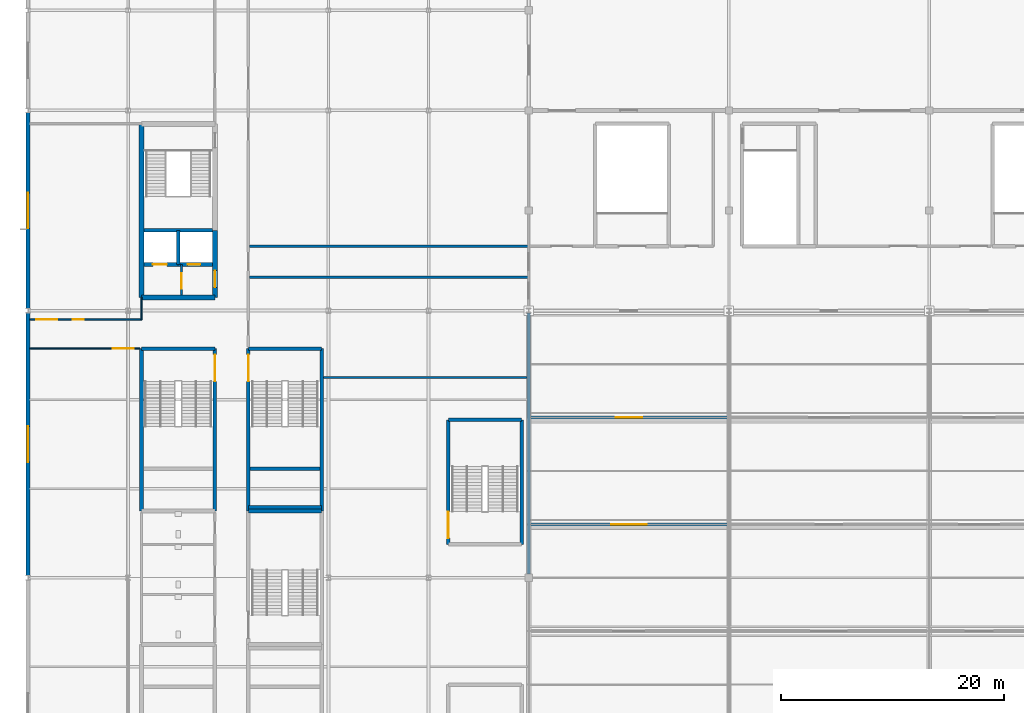
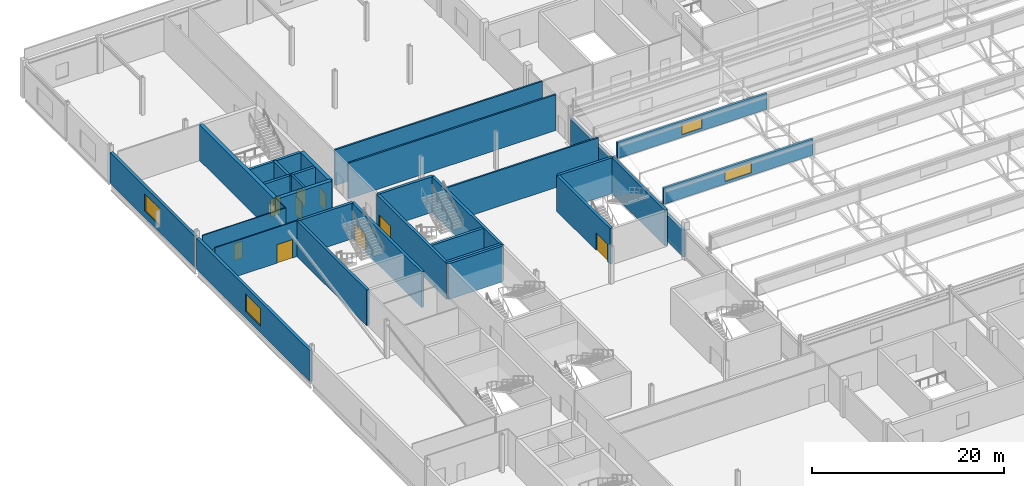
# One storey, part 99 of 136: 31 walls, 10 doors, 4 windows, 14 openings.
"""IFC4 building model written with IfcOpenShell, lengths in metres."""

import ifcopenshell
import ifcopenshell.guid

model = None  # the IFC model being written
_history = None  # IfcOwnerHistory: only IFC2X3 demands one
_inside = {}  # id of a spatial element -> (the spatial element, [elements in it])
_under = {}  # id of a project, library or spatial element -> (it, [spatial elements below it])
_declared = {}  # id of a project -> (the project, [libraries it declares])
_typed = {}  # id of a type object -> (the type object, [elements of that type])
_made_of = {}  # id of a material, layer set ... -> (it, [elements and type objects made of it])


def new_model(schema):
    """Start an empty IFC model of exactly this schema.

    Asked for "IFC4X3", IfcOpenShell would pick the latest addendum, in which some entities
    have other attributes; the version numbers below select the first issue.
    IFC2X3 requires an IfcOwnerHistory on every rooted entity: one is made here for all.
    """
    global model, _history
    if schema == "IFC4X3":
        model = ifcopenshell.file(schema_version=(4, 3, 0, 0))
    else:
        model = ifcopenshell.file(schema=schema)
    _inside.clear()
    _under.clear()
    _declared.clear()
    _typed.clear()
    _made_of.clear()
    _history = None
    if model.schema == "IFC2X3":
        org = make("IfcOrganization", Name="unknown")
        user = make(
            "IfcPersonAndOrganization",
            ThePerson=make("IfcPerson", FamilyName="unknown"),
            TheOrganization=org,
        )
        app = make(
            "IfcApplication",
            ApplicationDeveloper=org,
            Version="unknown",
            ApplicationFullName="unknown",
            ApplicationIdentifier="unknown",
        )
        _history = make(
            "IfcOwnerHistory",
            OwningUser=user,
            OwningApplication=app,
            ChangeAction="ADDED",
            CreationDate=0,
        )
    return model


def make(cls, **values):
    """One entity of the class cls with the attributes given. An attribute that is None is left unset."""
    return model.create_entity(
        cls, **{name: value for name, value in values.items() if value is not None}
    )


def rooted(cls, **values):
    """An entity with a GlobalId (a new one), such as an element, a storey or a relation."""
    return make(cls, GlobalId=ifcopenshell.guid.new(), OwnerHistory=_history, **values)


def si_unit(unit_type, name, prefix=None):
    """IfcSIUnit, for example si_unit("LENGTHUNIT", "METRE", prefix="MILLI")."""
    return make("IfcSIUnit", UnitType=unit_type, Prefix=prefix, Name=name)


def assignment(units):
    """IfcUnitAssignment: the units of a project."""
    return None if units is None else make("IfcUnitAssignment", Units=units)


def point(xyz):
    """IfcCartesianPoint."""
    return None if xyz is None else make("IfcCartesianPoint", Coordinates=xyz)


def direction(xyz):
    """IfcDirection."""
    return None if xyz is None else make("IfcDirection", DirectionRatios=xyz)


def frame(location, z_axis=None, x_axis=None):
    """IfcAxis2Placement3D, a coordinate frame: its origin and axes. An axis left out is left unset."""
    return make(
        "IfcAxis2Placement3D",
        Location=point(location),
        Axis=direction(z_axis),
        RefDirection=direction(x_axis),
    )


def frame_2d(location, x_axis=None):
    """IfcAxis2Placement2D, a coordinate frame in the plane: its origin and x axis."""
    return make(
        "IfcAxis2Placement2D", Location=point(location), RefDirection=direction(x_axis)
    )


def origin():
    """The frame at (0, 0, 0) with its axes left unset."""
    return frame((0.0, 0.0, 0.0))


def place(relative_to, where):
    """IfcLocalPlacement: puts the frame where relative to a parent placement (None: the world)."""
    return make(
        "IfcLocalPlacement", PlacementRelTo=relative_to, RelativePlacement=where
    )


def context(
    kind, dimensions, precision=None, world=None, true_north=None, identifier=None
):
    """IfcGeometricRepresentationContext, for example the 3D "Model" context."""
    return make(
        "IfcGeometricRepresentationContext",
        ContextIdentifier=identifier,
        ContextType=kind,
        CoordinateSpaceDimension=dimensions,
        Precision=precision,
        WorldCoordinateSystem=world,
        TrueNorth=true_north,
    )


def subcontext(parent, identifier, kind, view, scale=None):
    """IfcGeometricRepresentationSubContext, for example "Body" below "Model"."""
    return make(
        "IfcGeometricRepresentationSubContext",
        ContextIdentifier=identifier,
        ContextType=kind,
        ParentContext=parent,
        TargetScale=scale,
        TargetView=view,
    )


def project(units=None, contexts=None):
    """IfcProject with its units and contexts."""
    return rooted(
        "IfcProject",
        Name="project",
        RepresentationContexts=contexts,
        UnitsInContext=assignment(units),
    )


def spatial(cls, under=None, at=None, **own):
    """A site, building, storey or space (cls), placed at a placement, below another one or the project."""
    s = rooted(cls, ObjectPlacement=at, **own)
    if under is not None:
        _under.setdefault(under.id(), (under, []))[1].append(s)
    return s


def profile(cls, at=None, kind="AREA", **sizes):
    """A parametric profile (cls). Its sizes go by their IFC names, for example OverallWidth=200.0."""
    return make(cls, ProfileType=kind, Position=at, **sizes)


def rectangle(**sizes):
    """IfcRectangleProfileDef."""
    return profile("IfcRectangleProfileDef", **sizes)


def extrude(swept, where, along, depth):
    """IfcExtrudedAreaSolid: the profile swept, set in the frame where, extruded along a direction by depth."""
    return make(
        "IfcExtrudedAreaSolid",
        SweptArea=swept,
        Position=where,
        ExtrudedDirection=direction(along),
        Depth=depth,
    )


def shape(context_of_items, identifier, shape_type, items):
    """IfcShapeRepresentation: the items that make up one representation, for example the "Body"."""
    return make(
        "IfcShapeRepresentation",
        ContextOfItems=context_of_items,
        RepresentationIdentifier=identifier,
        RepresentationType=shape_type,
        Items=items,
    )


def material(Name=None, Category=None):
    """IfcMaterial."""
    return make("IfcMaterial", Name=Name, Category=Category)


def layer(
    of_material, thickness, ventilated=None, Name=None, Category=None, Priority=None
):
    """IfcMaterialLayer: one layer of a wall or slab, of a material (None: an air gap)."""
    return make(
        "IfcMaterialLayer",
        Material=of_material,
        LayerThickness=thickness,
        IsVentilated=ventilated,
        Name=Name,
        Category=Category,
        Priority=Priority,
    )


def layer_set(layers, Name=None):
    """IfcMaterialLayerSet."""
    return make("IfcMaterialLayerSet", MaterialLayers=layers, LayerSetName=Name)


def made_of(thing, what):
    """Note that an element or type object is made of a material, layer set ...; save() writes the relation."""
    if what is not None:
        _made_of.setdefault(what.id(), (what, []))[1].append(thing)
    return thing


def type_object(cls, material=None, **own):
    """A type object (cls), such as IfcWallType, which elements share."""
    return made_of(rooted(cls, **own), material)


def element(
    cls,
    number,
    at=None,
    inside=None,
    cuts=None,
    type_object=None,
    material=None,
    context=None,
    identifier="Body",
    shape_type=None,
    held_by="IfcProductDefinitionShape",
    body=None,
    shapes=None,
    **own,
):
    """One element of the class cls, such as IfcWall. Its Tag is "e" and its number.

    at: its placement. inside: the storey or other place that contains it. cuts: it is an
    opening in that element (IfcRelVoidsElement). A single representation is given by context,
    identifier, shape_type and body (its items); several are given by shapes. held_by: the class
    of the entity that holds the representations. save() writes the other relations.
    """
    e = rooted(cls, Tag="e%d" % number, ObjectPlacement=at, **own)
    if body is not None:
        shapes = [shape(context, identifier, shape_type, body)]
    if shapes is not None:
        e.Representation = make(held_by, Representations=shapes)
    if inside is not None:
        _inside.setdefault(inside.id(), (inside, []))[1].append(e)
    if cuts is not None:
        rooted(
            "IfcRelVoidsElement", RelatingBuildingElement=cuts, RelatedOpeningElement=e
        )
    if type_object is not None:
        _typed.setdefault(type_object.id(), (type_object, []))[1].append(e)
    return made_of(e, material)


def fill(opening, filler):
    """IfcRelFillsElement: the door or window that sits in an opening."""
    return rooted(
        "IfcRelFillsElement",
        RelatingOpeningElement=opening,
        RelatedBuildingElement=filler,
    )


def aggregate(whole, parts):
    """IfcRelAggregates: a whole, such as a stair, and the parts it consists of."""
    return rooted("IfcRelAggregates", RelatingObject=whole, RelatedObjects=parts)


def save(model, path):
    """Write the relations noted so far, then the file.

    IfcRelAggregates (storeys below a building ...), IfcRelContainedInSpatialStructure (elements
    in a storey), IfcRelDefinesByType, IfcRelAssociatesMaterial and IfcRelDeclares: one each for
    every whole, place, type object, material and project.
    """
    for whole, parts in _under.values():
        aggregate(whole, parts)
    for where, things in _inside.values():
        rooted(
            "IfcRelContainedInSpatialStructure",
            RelatedElements=things,
            RelatingStructure=where,
        )
    for kind, things in _typed.values():
        rooted("IfcRelDefinesByType", RelatedObjects=things, RelatingType=kind)
    for what, things in _made_of.values():
        rooted("IfcRelAssociatesMaterial", RelatedObjects=things, RelatingMaterial=what)
    for by, libraries in _declared.values():
        rooted("IfcRelDeclares", RelatingContext=by, RelatedDefinitions=libraries)
    model.write(path)


model = new_model("IFC4")

# Units and contexts
model_context = context("Model", 3, precision=1e-05, world=origin(), true_north=direction((0.0, 1.0)))
body_context = subcontext(model_context, "Body", "Model", "MODEL_VIEW")
ifc_project = project(units=[si_unit("LENGTHUNIT", "METRE"), si_unit("AREAUNIT", "SQUARE_METRE"), si_unit("VOLUMEUNIT", "CUBIC_METRE"), si_unit("PLANEANGLEUNIT", "RADIAN"), si_unit("MASSUNIT", "GRAM", prefix="KILO")], contexts=[model_context])

# Site, building, storey
site_placement = place(None, origin())
site = spatial("IfcSite", under=ifc_project, at=site_placement, CompositionType="ELEMENT")
building_placement = place(site_placement, origin())
building = spatial("IfcBuilding", under=site, at=building_placement, Name="Kisiwana Market Hall", CompositionType="ELEMENT")
storey_placement = place(building_placement, frame((0.0, 0.0, 16.800048828125)))
storey = spatial("IfcBuildingStorey", under=building, at=storey_placement, Name="L03", CompositionType="ELEMENT", Elevation=16.800048828125)

# Wall, opening, door
ifc_material_1 = material(Name="Masonry blockwork", Category="masonry")
ifc_layer_1 = layer(ifc_material_1, 0.199951171875, Name="Plastered fire compartment block wall")
ifc_layer_set_1 = layer_set([ifc_layer_1], Name="WL-COMP-200")
wall_type_1 = type_object("IfcWallType", Name="WL-COMP-200", PredefinedType="PARTITIONING", material=ifc_layer_set_1)
wall_1_placement = place(storey_placement, frame((13.800048828125, 85.425048828125, 0.0), z_axis=(0.0, 0.0, 1.0), x_axis=(0.0, 1.0, 0.0)))
wall_1 = element("IfcWall", 1, at=wall_1_placement, inside=storey, type_object=wall_type_1, Name="Core W1 firefighting lobby wall W-1439", PredefinedType="PARTITIONING", context=body_context, shape_type="SweptSolid", body=[
    extrude(rectangle(XDim=2.72998046875, YDim=0.199951171875, at=frame_2d((1.364990234375, 0.0))), origin(), (0.0, 0.0, 1.0), 4.554931640625),
])
opening_1_placement = place(wall_1_placement, frame((0.550048828125, 0.0, 0.0)))
opening_1 = element("IfcOpeningElement", 2, at=opening_1_placement, cuts=wall_1, Name="Opening DR-L03-006", PredefinedType="OPENING", context=body_context, shape_type="SweptSolid", body=[
    extrude(rectangle(XDim=1.39990234375, YDim=2.25, at=frame_2d((0.699951171875, 1.125))), frame((0.0, 0.11181640625, 0.0), z_axis=(0.0, -1.0, 0.0), x_axis=(1.0, 0.0, 0.0)), (0.0, 0.0, 1.0), 0.223876953125),
])
ifc_material_2 = material(Name="Steel S275", Category="steel")
door_type_1 = type_object("IfcDoorType", Name="DR-FFLOB-FD120-1400", OperationType="DOUBLE_DOOR_SINGLE_SWING", PredefinedType="DOOR", material=ifc_material_2)
door_1_placement = place(opening_1_placement, frame((1.39990234375, 0.0, 0.0), z_axis=(0.0, 0.0, 1.0), x_axis=(-1.0, 0.0, 0.0)))
door_1 = element("IfcDoor", 3, at=door_1_placement, inside=storey, type_object=door_type_1, Name="Firefighting Lift Lobby W1 Door (L03)", OperationType="DOUBLE_DOOR_SINGLE_SWING", OverallHeight=2.25, OverallWidth=1.39990234375, PredefinedType="DOOR", context=body_context, shape_type="SweptSolid", body=[
    extrude(rectangle(XDim=1.39990234375, YDim=2.25, at=frame_2d((0.699951171875, 1.125))), frame((0.0, 0.02490234375, 0.0), z_axis=(0.0, -1.0, 0.0), x_axis=(1.0, 0.0, 0.0)), (0.0, 0.0, 1.0), 0.050048828125),
])
fill(opening_1, door_1)

# Walls
wall_2_placement = place(storey_placement, frame((26.56005859375, 78.0, 0.0), z_axis=(0.0, 0.0, 1.0), x_axis=(1.0, 0.0, 0.0)))
element("IfcWall", 4, at=wall_2_placement, inside=storey, type_object=wall_type_1, Name="Interior partition W-1458", PredefinedType="PARTITIONING", context=body_context, shape_type="SweptSolid", body=[
    extrude(rectangle(XDim=18.27001953125, YDim=0.199951171875, at=frame_2d((9.135009765625, 0.0))), origin(), (0.0, 0.0, 1.0), 4.554931640625),
])
for number, where, z_axis, x_axis, name in (
    (5, (19.89990234375, 87.0, 0.0), (0.0, 0.0, 1.0), (1.0, 0.0, 0.0), "Interior partition W-1459"),
    (6, (19.89990234375, 89.800048828125, 0.0), (0.0, 0.0, 1.0), (1.0, 0.0, 0.0), "Interior partition W-1460"),
):
    element("IfcWall", number, at=place(storey_placement, frame(where, z_axis=z_axis, x_axis=x_axis)), inside=storey, type_object=wall_type_1, Name=name, PredefinedType="PARTITIONING", context=body_context, shape_type="SweptSolid", body=[
        extrude(rectangle(XDim=25.01513671875, YDim=0.199951171875, at=frame_2d((12.507568359375, 0.0))), origin(), (0.0, 0.0, 1.0), 4.554931640625),
    ])
ifc_material_3 = material(Name="Concrete C40/50", Category="concrete")
ifc_layer_2 = layer(ifc_material_3, 0.320068359375, Name="Reinforced concrete shaft wall")
ifc_layer_set_2 = layer_set([ifc_layer_2], Name="WL-CORE-320")
wall_type_2 = type_object("IfcWallType", Name="WL-CORE-320", PredefinedType="SHEAR", material=ifc_layer_set_2)
wall_3_placement = place(storey_placement, frame((10.425048828125, 91.215087890625, 0.0), z_axis=(0.0, 0.0, 1.0), x_axis=(1.0, 0.0, 0.0)))
element("IfcWall", 7, at=wall_3_placement, inside=storey, type_object=wall_type_2, Name="Core W1 shaft back shear wall W-1198", PredefinedType="SHEAR", context=body_context, shape_type="SweptSolid", body=[
    extrude(rectangle(XDim=6.14990234375, YDim=0.320068359375, at=frame_2d((3.074951171875, 0.0))), origin(), (0.0, 0.0, 1.0), 4.554931640625),
])
wall_4_placement = place(storey_placement, frame((13.5, 88.155029296875, 0.0), z_axis=(0.0, 0.0, 1.0), x_axis=(0.0, 1.0, 0.0)))
element("IfcWall", 8, at=wall_4_placement, inside=storey, type_object=wall_type_2, Name="Core W1 inter-shaft shear wall W-1199", PredefinedType="SHEAR", context=body_context, shape_type="SweptSolid", body=[
    extrude(rectangle(XDim=3.06005859375, YDim=0.320068359375, at=frame_2d((1.530029296875, 0.0))), origin(), (0.0, 0.0, 1.0), 4.554931640625),
])

# Wall, opening, door
wall_5_placement = place(storey_placement, frame((10.425048828125, 88.155029296875, 0.0), z_axis=(0.0, 0.0, 1.0), x_axis=(1.0, 0.0, 0.0)))
wall_5 = element("IfcWall", 9, at=wall_5_placement, inside=storey, type_object=wall_type_2, Name="Core W1 west lift front wall W-1200", PredefinedType="SHEAR", context=body_context, shape_type="SweptSolid", body=[
    extrude(rectangle(XDim=3.074951171875, YDim=0.320068359375, at=frame_2d((1.53759765625, 0.0))), origin(), (0.0, 0.0, 1.0), 4.554931640625),
])
opening_2_placement = place(wall_5_placement, frame((0.800048828125, 0.0, 0.0)))
opening_2 = element("IfcOpeningElement", 10, at=opening_2_placement, cuts=wall_5, Name="Opening LD-L03-003", PredefinedType="OPENING", context=body_context, shape_type="SweptSolid", body=[
    extrude(rectangle(XDim=1.25, YDim=2.25, at=frame_2d((0.625, 1.125))), frame((0.0, 0.171875, 0.0), z_axis=(0.0, -1.0, 0.0), x_axis=(1.0, 0.0, 0.0)), (0.0, 0.0, 1.0), 0.343994140625),
])
ifc_material_4 = material(Name="Steel S275", Category="steel")
door_type_2 = type_object("IfcDoorType", Name="DR-LIFT-FFL-1250", OperationType="DOUBLE_DOOR_SLIDING", PredefinedType="DOOR", material=ifc_material_4)
door_2_placement = place(opening_2_placement, origin())
door_2 = element("IfcDoor", 11, at=door_2_placement, inside=storey, type_object=door_type_2, Name="Lift Landing Door FFL-02 (L03)", OperationType="DOUBLE_DOOR_SLIDING", OverallHeight=2.25, OverallWidth=1.25, PredefinedType="DOOR", context=body_context, shape_type="SweptSolid", body=[
    extrude(rectangle(XDim=1.25, YDim=2.25, at=frame_2d((0.625, 1.125))), frame((0.0, 0.02490234375, 0.0), z_axis=(0.0, -1.0, 0.0), x_axis=(1.0, 0.0, 0.0)), (0.0, 0.0, 1.0), 0.050048828125),
])
fill(opening_2, door_2)

wall_6_placement = place(storey_placement, frame((13.5, 88.155029296875, 0.0), z_axis=(0.0, 0.0, 1.0), x_axis=(1.0, 0.0, 0.0)))
wall_6 = element("IfcWall", 12, at=wall_6_placement, inside=storey, type_object=wall_type_2, Name="Core W1 east lift front wall W-1201", PredefinedType="SHEAR", context=body_context, shape_type="SweptSolid", body=[
    extrude(rectangle(XDim=3.074951171875, YDim=0.320068359375, at=frame_2d((1.53759765625, 0.0))), origin(), (0.0, 0.0, 1.0), 4.554931640625),
])
opening_3_placement = place(wall_6_placement, frame((0.85009765625, 0.0, 0.0)))
opening_3 = element("IfcOpeningElement", 13, at=opening_3_placement, cuts=wall_6, Name="Opening LD-L03-004", PredefinedType="OPENING", context=body_context, shape_type="SweptSolid", body=[
    extrude(rectangle(XDim=1.14990234375, YDim=2.199951171875, at=frame_2d((0.574951171875, 1.10009765625))), frame((0.0, 0.171875, 0.0), z_axis=(0.0, -1.0, 0.0), x_axis=(1.0, 0.0, 0.0)), (0.0, 0.0, 1.0), 0.343994140625),
])
ifc_material_5 = material(Name="Steel S275", Category="steel")
door_type_3 = type_object("IfcDoorType", Name="DR-LIFT-PAX-1150", OperationType="DOUBLE_DOOR_SLIDING", PredefinedType="DOOR", material=ifc_material_5)
door_3_placement = place(opening_3_placement, origin())
door_3 = element("IfcDoor", 14, at=door_3_placement, inside=storey, type_object=door_type_3, Name="Lift Landing Door LP-02 (L03)", OperationType="DOUBLE_DOOR_SLIDING", OverallHeight=2.199951171875, OverallWidth=1.14990234375, PredefinedType="DOOR", context=body_context, shape_type="SweptSolid", body=[
    extrude(rectangle(XDim=1.14990234375, YDim=2.199951171875, at=frame_2d((0.574951171875, 1.10009765625))), frame((0.0, 0.02490234375, 0.0), z_axis=(0.0, -1.0, 0.0), x_axis=(1.0, 0.0, 0.0)), (0.0, 0.0, 1.0), 0.050048828125),
])
fill(opening_3, door_3)

# Walls
wall_7_placement = place(storey_placement, frame((10.199951171875, 80.60009765625, 0.0), z_axis=(0.0, 0.0, 1.0), x_axis=(1.0, 0.0, 0.0)))
element("IfcWall", 15, at=wall_7_placement, inside=storey, type_object=wall_type_2, Name="Core W4 north shear wall W-1248", PredefinedType="SHEAR", context=body_context, shape_type="SweptSolid", body=[
    extrude(rectangle(XDim=6.60009765625, YDim=0.320068359375, at=frame_2d((3.300048828125, 0.0))), origin(), (0.0, 0.0, 1.0), 4.554931640625),
])
wall_8_placement = place(storey_placement, frame((10.199951171875, 66.0, 0.0), z_axis=(0.0, 0.0, 1.0), x_axis=(0.0, 1.0, 0.0)))
element("IfcWall", 16, at=wall_8_placement, inside=storey, type_object=wall_type_2, Name="Core W4 outer shear wall W-1249", PredefinedType="SHEAR", context=body_context, shape_type="SweptSolid", body=[
    extrude(rectangle(XDim=14.60009765625, YDim=0.320068359375, at=frame_2d((7.300048828125, 0.0))), origin(), (0.0, 0.0, 1.0), 4.554931640625),
])

# Wall, opening, door
wall_9_placement = place(storey_placement, frame((16.800048828125, 66.0, 0.0), z_axis=(0.0, 0.0, 1.0), x_axis=(0.0, 1.0, 0.0)))
wall_9 = element("IfcWall", 17, at=wall_9_placement, inside=storey, type_object=wall_type_2, Name="Core W4 corridor shear wall W-1250", PredefinedType="SHEAR", context=body_context, shape_type="SweptSolid", body=[
    extrude(rectangle(XDim=14.60009765625, YDim=0.320068359375, at=frame_2d((7.300048828125, 0.0))), origin(), (0.0, 0.0, 1.0), 4.554931640625),
])
opening_4_placement = place(wall_9_placement, frame((11.64990234375, 0.0, 0.0)))
opening_4 = element("IfcOpeningElement", 18, at=opening_4_placement, cuts=wall_9, Name="Opening DR-L03-020", PredefinedType="OPENING", context=body_context, shape_type="SweptSolid", body=[
    extrude(rectangle(XDim=2.39990234375, YDim=2.25, at=frame_2d((1.199951171875, 1.125))), frame((0.0, 0.171875, 0.0), z_axis=(0.0, -1.0, 0.0), x_axis=(1.0, 0.0, 0.0)), (0.0, 0.0, 1.0), 0.343994140625),
])
ifc_material_6 = material(Name="Steel S275", Category="steel")
door_type_4 = type_object("IfcDoorType", Name="DR-STAIR-FD120-2400", OperationType="DOUBLE_DOOR_SINGLE_SWING", PredefinedType="DOOR", material=ifc_material_6)
door_4_placement = place(opening_4_placement, origin())
door_4 = element("IfcDoor", 19, at=door_4_placement, inside=storey, type_object=door_type_4, Name="Escape Stair W4 Fire Door (L03)", OperationType="DOUBLE_DOOR_SINGLE_SWING", OverallHeight=2.25, OverallWidth=2.39990234375, PredefinedType="DOOR", context=body_context, shape_type="SweptSolid", body=[
    extrude(rectangle(XDim=2.39990234375, YDim=2.25, at=frame_2d((1.199951171875, 1.125))), frame((0.0, 0.02490234375, 0.0), z_axis=(0.0, -1.0, 0.0), x_axis=(1.0, 0.0, 0.0)), (0.0, 0.0, 1.0), 0.050048828125),
])
fill(opening_4, door_4)

# Walls
for number, where, z_axis, x_axis, name in (
    (20, (19.800048828125, 66.0, 0.0), (0.0, 0.0, 1.0), (1.0, 0.0, 0.0), "Core W8 south shear wall W-1272"),
    (21, (19.800048828125, 80.60009765625, 0.0), (0.0, 0.0, 1.0), (1.0, 0.0, 0.0), "Core W8 north shear wall W-1273"),
):
    element("IfcWall", number, at=place(storey_placement, frame(where, z_axis=z_axis, x_axis=x_axis)), inside=storey, type_object=wall_type_2, Name=name, PredefinedType="SHEAR", context=body_context, shape_type="SweptSolid", body=[
        extrude(rectangle(XDim=6.599853515625, YDim=0.320068359375, at=frame_2d((3.2998046875, 0.0))), origin(), (0.0, 0.0, 1.0), 4.554931640625),
    ])

# Wall, opening, door
wall_10_placement = place(storey_placement, frame((19.800048828125, 66.0, 0.0), z_axis=(0.0, 0.0, 1.0), x_axis=(0.0, 1.0, 0.0)))
wall_10 = element("IfcWall", 22, at=wall_10_placement, inside=storey, type_object=wall_type_2, Name="Core W8 corridor shear wall W-1274", PredefinedType="SHEAR", context=body_context, shape_type="SweptSolid", body=[
    extrude(rectangle(XDim=14.60009765625, YDim=0.320068359375, at=frame_2d((7.300048828125, 0.0))), origin(), (0.0, 0.0, 1.0), 4.554931640625),
])
opening_5_placement = place(wall_10_placement, frame((11.64990234375, 0.0, 0.0)))
opening_5 = element("IfcOpeningElement", 23, at=opening_5_placement, cuts=wall_10, Name="Opening DR-L03-025", PredefinedType="OPENING", context=body_context, shape_type="SweptSolid", body=[
    extrude(rectangle(XDim=2.39990234375, YDim=2.25, at=frame_2d((1.199951171875, 1.125))), frame((0.0, 0.171875, 0.0), z_axis=(0.0, -1.0, 0.0), x_axis=(1.0, 0.0, 0.0)), (0.0, 0.0, 1.0), 0.343994140625),
])
door_5_placement = place(opening_5_placement, frame((2.39990234375, 0.0, 0.0), z_axis=(0.0, 0.0, 1.0), x_axis=(-1.0, 0.0, 0.0)))
door_5 = element("IfcDoor", 24, at=door_5_placement, inside=storey, type_object=door_type_4, Name="Escape Stair W8 Fire Door (L03)", OperationType="DOUBLE_DOOR_SINGLE_SWING", OverallHeight=2.25, OverallWidth=2.39990234375, PredefinedType="DOOR", context=body_context, shape_type="SweptSolid", body=[
    extrude(rectangle(XDim=2.39990234375, YDim=2.25, at=frame_2d((1.199951171875, 1.125))), frame((0.0, 0.02490234375, 0.0), z_axis=(0.0, -1.0, 0.0), x_axis=(1.0, 0.0, 0.0)), (0.0, 0.0, 1.0), 0.050048828125),
])
fill(opening_5, door_5)

# Walls
wall_11_placement = place(storey_placement, frame((26.39990234375, 66.0, 0.0), z_axis=(0.0, 0.0, 1.0), x_axis=(0.0, 1.0, 0.0)))
element("IfcWall", 25, at=wall_11_placement, inside=storey, type_object=wall_type_2, Name="Core W8 outer shear wall W-1275", PredefinedType="SHEAR", context=body_context, shape_type="SweptSolid", body=[
    extrude(rectangle(XDim=14.60009765625, YDim=0.320068359375, at=frame_2d((7.300048828125, 0.0))), origin(), (0.0, 0.0, 1.0), 4.554931640625),
])
wall_12_placement = place(storey_placement, frame((19.9599609375, 69.780029296875, 0.0), z_axis=(0.0, 0.0, 1.0), x_axis=(1.0, 0.0, 0.0)))
element("IfcWall", 26, at=wall_12_placement, inside=storey, type_object=wall_type_2, Name="Core W8 riser divider shear wall W-1276", PredefinedType="SHEAR", context=body_context, shape_type="SweptSolid", body=[
    extrude(rectangle(XDim=6.280029296875, YDim=0.320068359375, at=frame_2d((3.14013671875, 0.0))), origin(), (0.0, 0.0, 1.0), 4.554931640625),
])
wall_13_placement = place(storey_placement, frame((37.77001953125, 74.199951171875, 0.0), z_axis=(0.0, 0.0, 1.0), x_axis=(1.0, 0.0, 0.0)))
element("IfcWall", 27, at=wall_13_placement, inside=storey, type_object=wall_type_2, Name="Core W10 north shear wall W-1291", PredefinedType="SHEAR", context=body_context, shape_type="SweptSolid", body=[
    extrude(rectangle(XDim=6.60009765625, YDim=0.320068359375, at=frame_2d((3.300048828125, 0.0))), origin(), (0.0, 0.0, 1.0), 4.554931640625),
])

# Wall, opening, door
wall_14_placement = place(storey_placement, frame((37.77001953125, 63.0, 0.0), z_axis=(0.0, 0.0, 1.0), x_axis=(0.0, 1.0, 0.0)))
wall_14 = element("IfcWall", 28, at=wall_14_placement, inside=storey, type_object=wall_type_2, Name="Core W10 corridor shear wall W-1292", PredefinedType="SHEAR", context=body_context, shape_type="SweptSolid", body=[
    extrude(rectangle(XDim=11.199951171875, YDim=0.320068359375, at=frame_2d((5.60009765625, 0.0))), origin(), (0.0, 0.0, 1.0), 4.554931640625),
])
opening_6_placement = place(wall_14_placement, frame((0.550048828125, 0.0, 0.0)))
opening_6 = element("IfcOpeningElement", 29, at=opening_6_placement, cuts=wall_14, Name="Opening DR-L03-029", PredefinedType="OPENING", context=body_context, shape_type="SweptSolid", body=[
    extrude(rectangle(XDim=2.39990234375, YDim=2.25, at=frame_2d((1.199951171875, 1.125))), frame((0.0, 0.171875, 0.0), z_axis=(0.0, -1.0, 0.0), x_axis=(1.0, 0.0, 0.0)), (0.0, 0.0, 1.0), 0.343994140625),
])
door_6_placement = place(opening_6_placement, frame((2.39990234375, 0.0, 0.0), z_axis=(0.0, 0.0, 1.0), x_axis=(-1.0, 0.0, 0.0)))
door_6 = element("IfcDoor", 30, at=door_6_placement, inside=storey, type_object=door_type_4, Name="Escape Stair W10 Fire Door (L03)", OperationType="DOUBLE_DOOR_SINGLE_SWING", OverallHeight=2.25, OverallWidth=2.39990234375, PredefinedType="DOOR", context=body_context, shape_type="SweptSolid", body=[
    extrude(rectangle(XDim=2.39990234375, YDim=2.25, at=frame_2d((1.199951171875, 1.125))), frame((0.0, 0.02490234375, 0.0), z_axis=(0.0, -1.0, 0.0), x_axis=(1.0, 0.0, 0.0)), (0.0, 0.0, 1.0), 0.050048828125),
])
fill(opening_6, door_6)

# Walls
wall_15_placement = place(storey_placement, frame((44.3701171875, 63.0, 0.0), z_axis=(0.0, 0.0, 1.0), x_axis=(0.0, 1.0, 0.0)))
element("IfcWall", 31, at=wall_15_placement, inside=storey, type_object=wall_type_2, Name="Core W10 outer shear wall W-1293", PredefinedType="SHEAR", context=body_context, shape_type="SweptSolid", body=[
    extrude(rectangle(XDim=11.199951171875, YDim=0.320068359375, at=frame_2d((5.60009765625, 0.0))), origin(), (0.0, 0.0, 1.0), 4.554931640625),
])
wall_16_placement = place(storey_placement, frame((19.800048828125, 66.320068359375, 0.0), z_axis=(0.0, 0.0, 1.0), x_axis=(1.0, 0.0, 0.0)))
element("IfcWall", 32, at=wall_16_placement, inside=storey, type_object=wall_type_2, Name="Core W5 north shear wall W-1299", PredefinedType="SHEAR", context=body_context, shape_type="SweptSolid", body=[
    extrude(rectangle(XDim=6.599853515625, YDim=0.320068359375, at=frame_2d((3.2998046875, 0.0))), origin(), (0.0, 0.0, 1.0), 4.554931640625),
])
ifc_material_7 = material(Name="Concrete C40/50", Category="concrete")
ifc_layer_3 = layer(ifc_material_7, 0.449951171875, Name="Reinforced concrete core wall")
ifc_layer_set_3 = layer_set([ifc_layer_3], Name="WL-CORE-450")
wall_type_3 = type_object("IfcWallType", Name="WL-CORE-450", PredefinedType="SHEAR", material=ifc_layer_set_3)
wall_17_placement = place(storey_placement, frame((10.199951171875, 85.199951171875, 0.0), z_axis=(0.0, 0.0, 1.0), x_axis=(1.0, 0.0, 0.0)))
element("IfcWall", 33, at=wall_17_placement, inside=storey, type_object=wall_type_3, Name="Core W1 south shear wall W-1193", PredefinedType="SHEAR", context=body_context, shape_type="SweptSolid", body=[
    extrude(rectangle(XDim=6.60009765625, YDim=0.449951171875, at=frame_2d((3.300048828125, 0.0))), origin(), (0.0, 0.0, 1.0), 4.554931640625),
])
wall_18_placement = place(storey_placement, frame((10.199951171875, 85.199951171875, 0.0), z_axis=(0.0, 0.0, 1.0), x_axis=(0.0, 1.0, 0.0)))
element("IfcWall", 34, at=wall_18_placement, inside=storey, type_object=wall_type_3, Name="Core W1 outer shear wall W-1195", PredefinedType="SHEAR", context=body_context, shape_type="SweptSolid", body=[
    extrude(rectangle(XDim=15.60009765625, YDim=0.449951171875, at=frame_2d((7.800048828125, 0.0))), origin(), (0.0, 0.0, 1.0), 4.554931640625),
])

# Wall, opening, door
wall_19_placement = place(storey_placement, frame((16.800048828125, 85.199951171875, 0.0), z_axis=(0.0, 0.0, 1.0), x_axis=(0.0, 1.0, 0.0)))
wall_19 = element("IfcWall", 35, at=wall_19_placement, inside=storey, type_object=wall_type_3, Name="Core W1 lobby corridor shear wall W-1196", PredefinedType="SHEAR", context=body_context, shape_type="SweptSolid", body=[
    extrude(rectangle(XDim=6.01513671875, YDim=0.449951171875, at=frame_2d((3.007568359375, 0.0))), origin(), (0.0, 0.0, 1.0), 4.554931640625),
])
opening_7_placement = place(wall_19_placement, frame((0.89990234375, 0.0, 0.0)))
opening_7 = element("IfcOpeningElement", 36, at=opening_7_placement, cuts=wall_19, Name="Opening DR-L03-004", PredefinedType="OPENING", context=body_context, shape_type="SweptSolid", body=[
    extrude(rectangle(XDim=1.5, YDim=2.199951171875, at=frame_2d((0.75, 1.10009765625))), frame((0.0, 0.23681640625, 0.0), z_axis=(0.0, -1.0, 0.0), x_axis=(1.0, 0.0, 0.0)), (0.0, 0.0, 1.0), 0.473876953125),
])
ifc_material_8 = material(Name="Steel S275", Category="steel")
door_type_5 = type_object("IfcDoorType", Name="DR-CORR-FD60-1500", OperationType="DOUBLE_DOOR_SINGLE_SWING", PredefinedType="DOOR", material=ifc_material_8)
door_7_placement = place(opening_7_placement, frame((1.5, 0.0, 0.0), z_axis=(0.0, 0.0, 1.0), x_axis=(-1.0, 0.0, 0.0)))
door_7 = element("IfcDoor", 37, at=door_7_placement, inside=storey, type_object=door_type_5, Name="Passenger Lift Lobby W1 Smoke Door (L03)", OperationType="DOUBLE_DOOR_SINGLE_SWING", OverallHeight=2.199951171875, OverallWidth=1.5, PredefinedType="DOOR", context=body_context, shape_type="SweptSolid", body=[
    extrude(rectangle(XDim=1.5, YDim=2.199951171875, at=frame_2d((0.75, 1.10009765625))), frame((0.0, 0.02490234375, 0.0), z_axis=(0.0, -1.0, 0.0), x_axis=(1.0, 0.0, 0.0)), (0.0, 0.0, 1.0), 0.050048828125),
])
fill(opening_7, door_7)

# Wall, opening, window
ifc_material_9 = material(Name="Aluminium alloy 6063-T6", Category="aluminium")
ifc_layer_4 = layer(ifc_material_9, 0.06005859375, Name="Insulated metal-clad clerestory wall")
ifc_material_10 = material(Name="Mineral wool insulation")
ifc_layer_5 = layer(ifc_material_10, 0.10009765625, Name="Mineral wool core")
ifc_material_11 = material(Name="Masonry blockwork", Category="masonry")
ifc_layer_6 = layer(ifc_material_11, 0.10009765625, Name="Masonry backing")
ifc_layer_set_4 = layer_set([ifc_layer_4, ifc_layer_5, ifc_layer_6], Name="WL-EXT-CLER-260")
wall_type_4 = type_object("IfcWallType", Name="WL-EXT-CLER-260", PredefinedType="STANDARD", material=ifc_layer_set_4)
wall_20_placement = place(storey_placement, frame((45.010009765625, 64.800048828125, 4.0048828125), z_axis=(0.0, 0.0, 1.0), x_axis=(1.0, 0.0, 0.0)))
wall_20 = element("IfcWall", 38, at=wall_20_placement, inside=storey, type_object=wall_type_4, Name="Sawtooth clerestory wall W-1424", PredefinedType="STANDARD", context=body_context, shape_type="SweptSolid", body=[
    extrude(rectangle(XDim=17.989990234375, YDim=0.260009765625, at=frame_2d((8.9951171875, 0.0))), origin(), (0.0, 0.0, 1.0), 2.049072265625),
])
opening_8_placement = place(wall_20_placement, frame((7.39501953125, 0.0, 0.320068359375)))
opening_8 = element("IfcOpeningElement", 39, at=opening_8_placement, cuts=wall_20, Name="Opening W-41", PredefinedType="OPENING", context=body_context, shape_type="SweptSolid", body=[
    extrude(rectangle(XDim=3.199951171875, YDim=1.35009765625, at=frame_2d((1.60009765625, 0.675048828125))), frame((0.0, 0.14208984375, 0.0), z_axis=(0.0, -1.0, 0.0), x_axis=(1.0, 0.0, 0.0)), (0.0, 0.0, 1.0), 0.283935546875),
])
ifc_material_12 = material(Name="Double-glazed solar-control low-E IGU", Category="glass")
window_type_1 = type_object("IfcWindowType", Name="WN-CLER-3200x1400", PartitioningType="SINGLE_PANEL", PredefinedType="SKYLIGHT", material=ifc_material_12)
window_1_placement = place(opening_8_placement, origin())
window_1 = element("IfcWindow", 40, at=window_1_placement, inside=storey, type_object=window_type_1, Name="North-light sawtooth clerestory WN-053", OverallHeight=1.35009765625, OverallWidth=3.199951171875, PartitioningType="SINGLE_PANEL", PredefinedType="SKYLIGHT", context=body_context, shape_type="SweptSolid", body=[
    extrude(rectangle(XDim=3.199951171875, YDim=1.35009765625, at=frame_2d((1.60009765625, 0.675048828125))), frame((0.0, 0.030029296875, 0.0), z_axis=(0.0, -1.0, 0.0), x_axis=(1.0, 0.0, 0.0)), (0.0, 0.0, 1.0), 0.06005859375),
])
fill(opening_8, window_1)

wall_21_placement = place(storey_placement, frame((45.010009765625, 74.39990234375, 4.0048828125), z_axis=(0.0, 0.0, 1.0), x_axis=(1.0, 0.0, 0.0)))
wall_21 = element("IfcWall", 41, at=wall_21_placement, inside=storey, type_object=wall_type_4, Name="Sawtooth clerestory wall W-1431", PredefinedType="STANDARD", context=body_context, shape_type="SweptSolid", body=[
    extrude(rectangle(XDim=17.989990234375, YDim=0.260009765625, at=frame_2d((8.9951171875, 0.0))), origin(), (0.0, 0.0, 1.0), 2.049072265625),
])
opening_9_placement = place(wall_21_placement, frame((7.794921875, 0.0, 0.320068359375)))
opening_9 = element("IfcOpeningElement", 42, at=opening_9_placement, cuts=wall_21, Name="Opening W-42", PredefinedType="OPENING", context=body_context, shape_type="SweptSolid", body=[
    extrude(rectangle(XDim=2.39990234375, YDim=1.35009765625, at=frame_2d((1.199951171875, 0.675048828125))), frame((0.0, 0.14208984375, 0.0), z_axis=(0.0, -1.0, 0.0), x_axis=(1.0, 0.0, 0.0)), (0.0, 0.0, 1.0), 0.283935546875),
])
ifc_material_13 = material(Name="Double-glazed solar-control low-E IGU", Category="glass")
window_type_2 = type_object("IfcWindowType", Name="WN-CLER-2400x1400", PartitioningType="SINGLE_PANEL", PredefinedType="SKYLIGHT", material=ifc_material_13)
window_2_placement = place(opening_9_placement, origin())
window_2 = element("IfcWindow", 43, at=window_2_placement, inside=storey, type_object=window_type_2, Name="North-light sawtooth clerestory WN-061", OverallHeight=1.35009765625, OverallWidth=2.39990234375, PartitioningType="SINGLE_PANEL", PredefinedType="SKYLIGHT", context=body_context, shape_type="SweptSolid", body=[
    extrude(rectangle(XDim=2.39990234375, YDim=1.35009765625, at=frame_2d((1.199951171875, 0.675048828125))), frame((0.0, 0.030029296875, 0.0), z_axis=(0.0, -1.0, 0.0), x_axis=(1.0, 0.0, 0.0)), (0.0, 0.0, 1.0), 0.06005859375),
])
fill(opening_9, window_2)

ifc_material_14 = material(Name="Concrete C40/50 precast", Category="concrete")
ifc_layer_7 = layer(ifc_material_14, 0.14990234375, Name="Precast architectural concrete spandrel")
ifc_material_15 = material(Name="Mineral wool insulation")
ifc_layer_8 = layer(ifc_material_15, 0.090087890625, Name="Rockwool thermal insulation")
ifc_material_16 = material(Name="Masonry blockwork", Category="masonry")
ifc_layer_9 = layer(ifc_material_16, 0.10009765625, Name="Inner masonry block leaf")
ifc_layer_set_5 = layer_set([ifc_layer_7, ifc_layer_8, ifc_layer_9], Name="WL-EXT-PREC-340")
wall_type_5 = type_object("IfcWallType", Name="WL-EXT-PREC-340", PredefinedType="STANDARD", material=ifc_layer_set_5)
wall_22_placement = place(storey_placement, frame((0.0, 60.194091796875, 0.0), z_axis=(0.0, 0.0, 1.0), x_axis=(0.0, 1.0, 0.0)))
wall_22 = element("IfcWall", 44, at=wall_22_placement, inside=storey, type_object=wall_type_5, Name="Exterior wall W-1386", PredefinedType="STANDARD", context=body_context, shape_type="SweptSolid", body=[
    extrude(rectangle(XDim=23.61181640625, YDim=0.340087890625, at=frame_2d((11.805908203125, 0.0))), origin(), (0.0, 0.0, 1.0), 3.94287109375),
])
opening_10_placement = place(wall_22_placement, frame((10.2060546875, 0.0, 0.85009765625)))
opening_10 = element("IfcOpeningElement", 45, at=opening_10_placement, cuts=wall_22, Name="Opening WN-22", PredefinedType="OPENING", context=body_context, shape_type="SweptSolid", body=[
    extrude(rectangle(XDim=3.199951171875, YDim=2.199951171875, at=frame_2d((1.60009765625, 1.10009765625))), frame((0.0, 0.18212890625, 0.0), z_axis=(0.0, -1.0, 0.0), x_axis=(1.0, 0.0, 0.0)), (0.0, 0.0, 1.0), 0.364013671875),
])
ifc_material_17 = material(Name="Double-glazed solar-control low-E IGU", Category="glass")
window_type_3 = type_object("IfcWindowType", Name="WN-CONF-3200x2200", PartitioningType="SINGLE_PANEL", PredefinedType="WINDOW", material=ifc_material_17)
window_3_placement = place(opening_10_placement, origin())
window_3 = element("IfcWindow", 46, at=window_3_placement, inside=storey, type_object=window_type_3, Name="Exterior window WN-128", OverallHeight=2.199951171875, OverallWidth=3.199951171875, PartitioningType="SINGLE_PANEL", PredefinedType="WINDOW", context=body_context, shape_type="SweptSolid", body=[
    extrude(rectangle(XDim=3.199951171875, YDim=2.199951171875, at=frame_2d((1.60009765625, 1.10009765625))), frame((0.0, 0.030029296875, 0.0), z_axis=(0.0, -1.0, 0.0), x_axis=(1.0, 0.0, 0.0)), (0.0, 0.0, 1.0), 0.06005859375),
])
fill(opening_10, window_3)

wall_23_placement = place(storey_placement, frame((0.0, 84.194091796875, 0.0), z_axis=(0.0, 0.0, 1.0), x_axis=(0.0, 1.0, 0.0)))
wall_23 = element("IfcWall", 47, at=wall_23_placement, inside=storey, type_object=wall_type_5, Name="Exterior wall W-1387", PredefinedType="STANDARD", context=body_context, shape_type="SweptSolid", body=[
    extrude(rectangle(XDim=17.61181640625, YDim=0.340087890625, at=frame_2d((8.805908203125, 0.0))), origin(), (0.0, 0.0, 1.0), 3.94287109375),
])
opening_11_placement = place(wall_23_placement, frame((7.2060546875, 0.0, 0.85009765625)))
opening_11 = element("IfcOpeningElement", 48, at=opening_11_placement, cuts=wall_23, Name="Opening WN-22", PredefinedType="OPENING", context=body_context, shape_type="SweptSolid", body=[
    extrude(rectangle(XDim=3.199951171875, YDim=2.199951171875, at=frame_2d((1.60009765625, 1.10009765625))), frame((0.0, 0.18212890625, 0.0), z_axis=(0.0, -1.0, 0.0), x_axis=(1.0, 0.0, 0.0)), (0.0, 0.0, 1.0), 0.364013671875),
])
window_4_placement = place(opening_11_placement, origin())
window_4 = element("IfcWindow", 49, at=window_4_placement, inside=storey, type_object=window_type_3, Name="Exterior window WN-129", OverallHeight=2.199951171875, OverallWidth=3.199951171875, PartitioningType="SINGLE_PANEL", PredefinedType="WINDOW", context=body_context, shape_type="SweptSolid", body=[
    extrude(rectangle(XDim=3.199951171875, YDim=2.199951171875, at=frame_2d((1.60009765625, 1.10009765625))), frame((0.0, 0.030029296875, 0.0), z_axis=(0.0, -1.0, 0.0), x_axis=(1.0, 0.0, 0.0)), (0.0, 0.0, 1.0), 0.06005859375),
])
fill(opening_11, window_4)

# Walls
wall_24_placement = place(storey_placement, frame((45.0, 60.31689453125, 0.0), z_axis=(0.0, 0.0, 1.0), x_axis=(0.0, 1.0, 0.0)))
element("IfcWall", 50, at=wall_24_placement, inside=storey, type_object=wall_type_5, Name="Exterior wall W-1393", PredefinedType="STANDARD", context=body_context, shape_type="SweptSolid", body=[
    extrude(rectangle(XDim=23.484619140625, YDim=0.340087890625, at=frame_2d((11.7421875, 0.0))), origin(), (0.0, 0.0, 1.0), 3.423095703125),
])
ifc_material_18 = material(Name="Gypsum plasterboard")
ifc_layer_10 = layer(ifc_material_18, 0.125, Name="Double gypsum board + acoustic stud")
ifc_layer_set_6 = layer_set([ifc_layer_10], Name="WL-OFF-125")
wall_type_6 = type_object("IfcWallType", Name="WL-OFF-125", PredefinedType="PARTITIONING", material=ifc_layer_set_6)
wall_25_placement = place(storey_placement, frame((10.199951171875, 83.199951171875, 0.0), z_axis=(0.0, 0.0, 1.0), x_axis=(0.0, 1.0, 0.0)))
element("IfcWall", 51, at=wall_25_placement, inside=storey, type_object=wall_type_6, Name="Interior partition W-1447", PredefinedType="PARTITIONING", context=body_context, shape_type="SweptSolid", body=[
    extrude(rectangle(XDim=2.0, YDim=0.125, at=frame_2d((1.0, 0.0))), origin(), (0.0, 0.0, 1.0), 4.554931640625),
])

# Wall, opening, door
wall_26_placement = place(storey_placement, frame((0.169921875, 80.60009765625, 0.0), z_axis=(0.0, 0.0, 1.0), x_axis=(1.0, 0.0, 0.0)))
wall_26 = element("IfcWall", 52, at=wall_26_placement, inside=storey, type_object=wall_type_6, Name="Interior partition W-1452", PredefinedType="PARTITIONING", context=body_context, shape_type="SweptSolid", body=[
    extrude(rectangle(XDim=9.8701171875, YDim=0.125, at=frame_2d((4.93505859375, 0.0))), origin(), (0.0, 0.0, 1.0), 4.554931640625),
])
opening_12_placement = place(wall_26_placement, frame((7.449951171875, 0.0, 0.0)))
opening_12 = element("IfcOpeningElement", 53, at=opening_12_placement, cuts=wall_26, Name="Opening DR-L03-047", PredefinedType="OPENING", context=body_context, shape_type="SweptSolid", body=[
    extrude(rectangle(XDim=1.89990234375, YDim=2.35009765625, at=frame_2d((0.949951171875, 1.175048828125))), frame((0.0, 0.074462890625, 0.0), z_axis=(0.0, -1.0, 0.0), x_axis=(1.0, 0.0, 0.0)), (0.0, 0.0, 1.0), 0.14892578125),
])
ifc_material_19 = material(Name="Steel S275", Category="steel")
door_type_6 = type_object("IfcDoorType", Name="DR-HALL-1900", OperationType="DOUBLE_DOOR_SINGLE_SWING", PredefinedType="DOOR", material=ifc_material_19)
door_8_placement = place(opening_12_placement, frame((1.89990234375, 0.0, 0.0), z_axis=(0.0, 0.0, 1.0), x_axis=(-1.0, 0.0, 0.0)))
door_8 = element("IfcDoor", 54, at=door_8_placement, inside=storey, type_object=door_type_6, Name="L03 W Civic Seminar Suite Central Exit Door", OperationType="DOUBLE_DOOR_SINGLE_SWING", OverallHeight=2.35009765625, OverallWidth=1.89990234375, PredefinedType="DOOR", context=body_context, shape_type="SweptSolid", body=[
    extrude(rectangle(XDim=1.89990234375, YDim=2.35009765625, at=frame_2d((0.949951171875, 1.175048828125))), frame((0.0, 0.02490234375, 0.0), z_axis=(0.0, -1.0, 0.0), x_axis=(1.0, 0.0, 0.0)), (0.0, 0.0, 1.0), 0.050048828125),
])
fill(opening_12, door_8)

# Wall, openings, doors
wall_27_placement = place(storey_placement, frame((0.169921875, 83.199951171875, 0.0), z_axis=(0.0, 0.0, 1.0), x_axis=(1.0, 0.0, 0.0)))
wall_27 = element("IfcWall", 55, at=wall_27_placement, inside=storey, type_object=wall_type_6, Name="Interior partition W-1453", PredefinedType="PARTITIONING", context=body_context, shape_type="SweptSolid", body=[
    extrude(rectangle(XDim=10.030029296875, YDim=0.125, at=frame_2d((5.01513671875, 0.0))), origin(), (0.0, 0.0, 1.0), 4.554931640625),
])
opening_13_placement = place(wall_27_placement, frame((3.830078125, 0.0, 0.0)))
opening_13 = element("IfcOpeningElement", 56, at=opening_13_placement, cuts=wall_27, Name="Opening DR-L03-048", PredefinedType="OPENING", context=body_context, shape_type="SweptSolid", body=[
    extrude(rectangle(XDim=1.0, YDim=2.14990234375, at=frame_2d((0.5, 1.074951171875))), frame((0.0, 0.074462890625, 0.0), z_axis=(0.0, -1.0, 0.0), x_axis=(1.0, 0.0, 0.0)), (0.0, 0.0, 1.0), 0.14892578125),
])
opening_14_placement = place(wall_27_placement, frame((0.550048828125, 0.0, 0.0)))
opening_14 = element("IfcOpeningElement", 57, at=opening_14_placement, cuts=wall_27, Name="Opening DR-L03-049", PredefinedType="OPENING", context=body_context, shape_type="SweptSolid", body=[
    extrude(rectangle(XDim=1.89990234375, YDim=2.35009765625, at=frame_2d((0.949951171875, 1.175048828125))), frame((0.0, 0.074462890625, 0.0), z_axis=(0.0, -1.0, 0.0), x_axis=(1.0, 0.0, 0.0)), (0.0, 0.0, 1.0), 0.14892578125),
])
door_9_placement = place(opening_14_placement, origin())
door_9 = element("IfcDoor", 58, at=door_9_placement, inside=storey, type_object=door_type_6, Name="L03 W Civic Seminar Suite North Exit Door", OperationType="DOUBLE_DOOR_SINGLE_SWING", OverallHeight=2.35009765625, OverallWidth=1.89990234375, PredefinedType="DOOR", context=body_context, shape_type="SweptSolid", body=[
    extrude(rectangle(XDim=1.89990234375, YDim=2.35009765625, at=frame_2d((0.949951171875, 1.175048828125))), frame((0.0, 0.02490234375, 0.0), z_axis=(0.0, -1.0, 0.0), x_axis=(1.0, 0.0, 0.0)), (0.0, 0.0, 1.0), 0.050048828125),
])
fill(opening_14, door_9)
ifc_material_20 = material(Name="Aluminium alloy 6063-T6", Category="aluminium")
door_type_7 = type_object("IfcDoorType", Name="DR-OFF-1000", OperationType="NOTDEFINED", PredefinedType="DOOR", material=ifc_material_20)
door_10_placement = place(opening_13_placement, origin())
door_10 = element("IfcDoor", 59, at=door_10_placement, inside=storey, type_object=door_type_7, Name="L03 W Civic Seminar Suite North Door", OperationType="SINGLE_SWING_LEFT", OverallHeight=2.14990234375, OverallWidth=1.0, PredefinedType="DOOR", context=body_context, shape_type="SweptSolid", body=[
    extrude(rectangle(XDim=1.0, YDim=2.14990234375, at=frame_2d((0.5, 1.074951171875))), frame((0.0, 0.02490234375, 0.0), z_axis=(0.0, -1.0, 0.0), x_axis=(1.0, 0.0, 0.0)), (0.0, 0.0, 1.0), 0.050048828125),
])
fill(opening_13, door_10)

save(model, "model.ifc")
